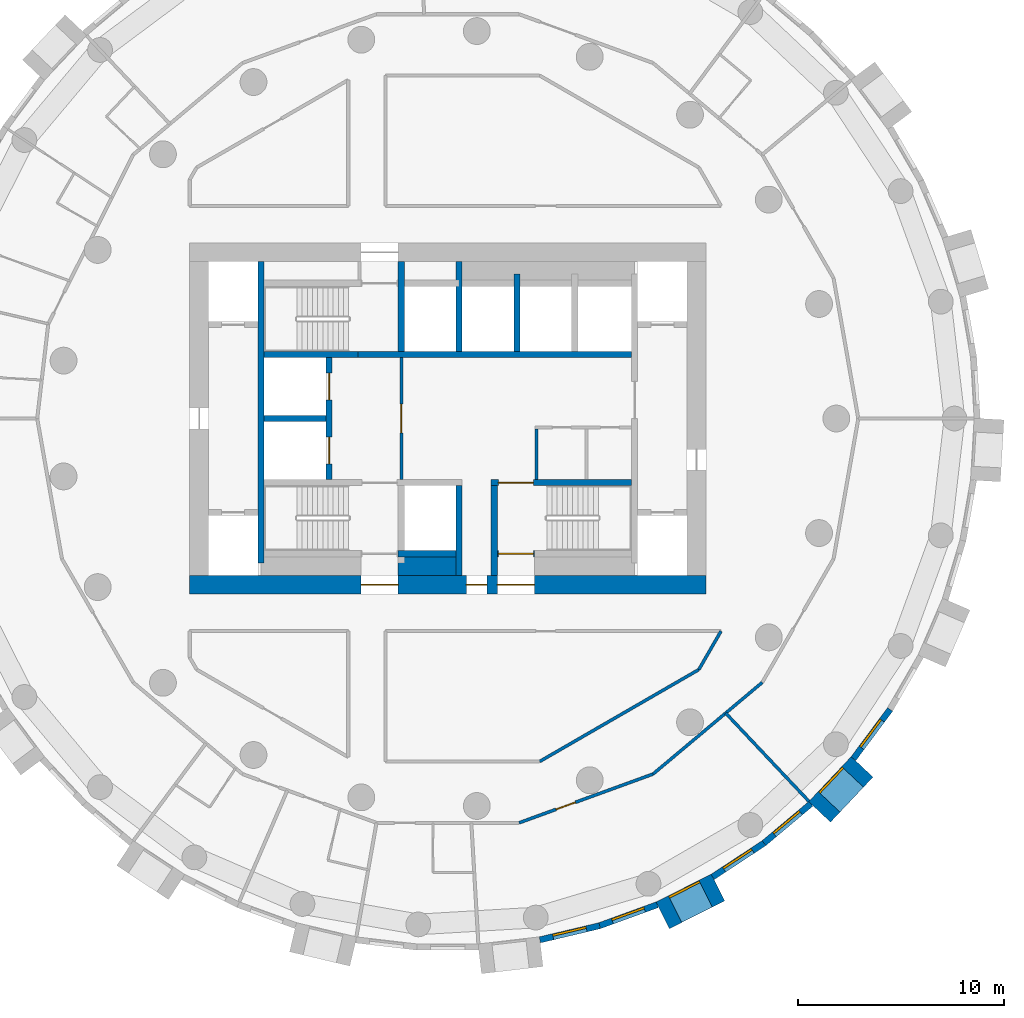
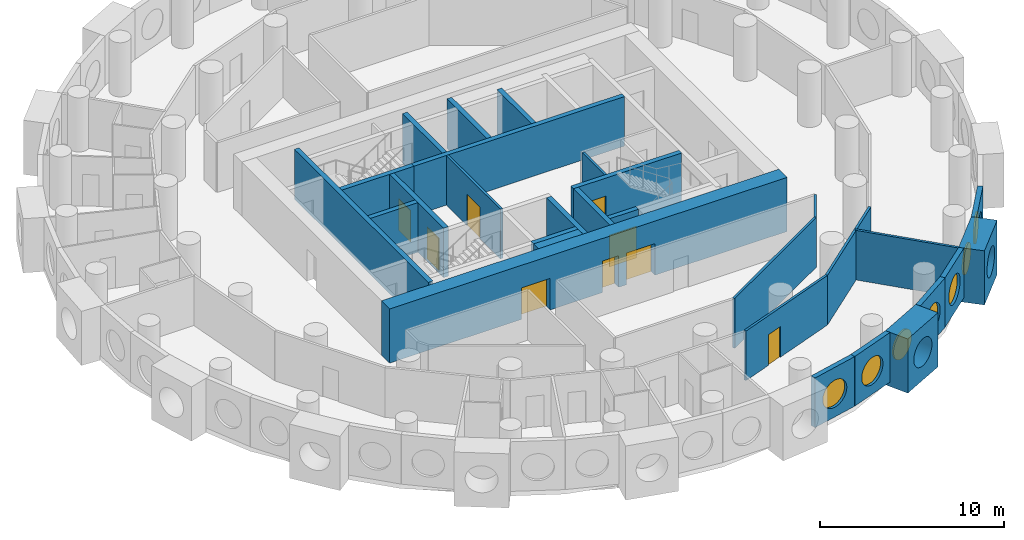
# One storey, part 4 of 9: 29 walls, 9 doors, 7 windows, 16 openings.
"""IFC4 building model written with IfcOpenShell, lengths in metres."""

import ifcopenshell
import ifcopenshell.guid

model = None  # the IFC model being written
_history = None  # IfcOwnerHistory: only IFC2X3 demands one
_inside = {}  # id of a spatial element -> (the spatial element, [elements in it])
_under = {}  # id of a project, library or spatial element -> (it, [spatial elements below it])
_declared = {}  # id of a project -> (the project, [libraries it declares])
_typed = {}  # id of a type object -> (the type object, [elements of that type])
_made_of = {}  # id of a material, layer set ... -> (it, [elements and type objects made of it])


def new_model(schema):
    """Start an empty IFC model of exactly this schema.

    Asked for "IFC4X3", IfcOpenShell would pick the latest addendum, in which some entities
    have other attributes; the version numbers below select the first issue.
    IFC2X3 requires an IfcOwnerHistory on every rooted entity: one is made here for all.
    """
    global model, _history
    if schema == "IFC4X3":
        model = ifcopenshell.file(schema_version=(4, 3, 0, 0))
    else:
        model = ifcopenshell.file(schema=schema)
    _inside.clear()
    _under.clear()
    _declared.clear()
    _typed.clear()
    _made_of.clear()
    _history = None
    if model.schema == "IFC2X3":
        org = make("IfcOrganization", Name="unknown")
        user = make(
            "IfcPersonAndOrganization",
            ThePerson=make("IfcPerson", FamilyName="unknown"),
            TheOrganization=org,
        )
        app = make(
            "IfcApplication",
            ApplicationDeveloper=org,
            Version="unknown",
            ApplicationFullName="unknown",
            ApplicationIdentifier="unknown",
        )
        _history = make(
            "IfcOwnerHistory",
            OwningUser=user,
            OwningApplication=app,
            ChangeAction="ADDED",
            CreationDate=0,
        )
    return model


def make(cls, **values):
    """One entity of the class cls with the attributes given. An attribute that is None is left unset."""
    return model.create_entity(
        cls, **{name: value for name, value in values.items() if value is not None}
    )


def rooted(cls, **values):
    """An entity with a GlobalId (a new one), such as an element, a storey or a relation."""
    return make(cls, GlobalId=ifcopenshell.guid.new(), OwnerHistory=_history, **values)


def si_unit(unit_type, name, prefix=None):
    """IfcSIUnit, for example si_unit("LENGTHUNIT", "METRE", prefix="MILLI")."""
    return make("IfcSIUnit", UnitType=unit_type, Prefix=prefix, Name=name)


def assignment(units):
    """IfcUnitAssignment: the units of a project."""
    return None if units is None else make("IfcUnitAssignment", Units=units)


def point(xyz):
    """IfcCartesianPoint."""
    return None if xyz is None else make("IfcCartesianPoint", Coordinates=xyz)


def direction(xyz):
    """IfcDirection."""
    return None if xyz is None else make("IfcDirection", DirectionRatios=xyz)


def frame(location, z_axis=None, x_axis=None):
    """IfcAxis2Placement3D, a coordinate frame: its origin and axes. An axis left out is left unset."""
    return make(
        "IfcAxis2Placement3D",
        Location=point(location),
        Axis=direction(z_axis),
        RefDirection=direction(x_axis),
    )


def frame_2d(location, x_axis=None):
    """IfcAxis2Placement2D, a coordinate frame in the plane: its origin and x axis."""
    return make(
        "IfcAxis2Placement2D", Location=point(location), RefDirection=direction(x_axis)
    )


def origin():
    """The frame at (0, 0, 0) with its axes left unset."""
    return frame((0.0, 0.0, 0.0))


def origin_2d():
    """The frame at (0, 0) in the plane with its x axis left unset."""
    return frame_2d((0.0, 0.0))


def place(relative_to, where):
    """IfcLocalPlacement: puts the frame where relative to a parent placement (None: the world)."""
    return make(
        "IfcLocalPlacement", PlacementRelTo=relative_to, RelativePlacement=where
    )


def context(
    kind, dimensions, precision=None, world=None, true_north=None, identifier=None
):
    """IfcGeometricRepresentationContext, for example the 3D "Model" context."""
    return make(
        "IfcGeometricRepresentationContext",
        ContextIdentifier=identifier,
        ContextType=kind,
        CoordinateSpaceDimension=dimensions,
        Precision=precision,
        WorldCoordinateSystem=world,
        TrueNorth=true_north,
    )


def subcontext(parent, identifier, kind, view, scale=None):
    """IfcGeometricRepresentationSubContext, for example "Body" below "Model"."""
    return make(
        "IfcGeometricRepresentationSubContext",
        ContextIdentifier=identifier,
        ContextType=kind,
        ParentContext=parent,
        TargetScale=scale,
        TargetView=view,
    )


def project(units=None, contexts=None):
    """IfcProject with its units and contexts."""
    return rooted(
        "IfcProject",
        Name="project",
        RepresentationContexts=contexts,
        UnitsInContext=assignment(units),
    )


def spatial(cls, under=None, at=None, **own):
    """A site, building, storey or space (cls), placed at a placement, below another one or the project."""
    s = rooted(cls, ObjectPlacement=at, **own)
    if under is not None:
        _under.setdefault(under.id(), (under, []))[1].append(s)
    return s


def profile(cls, at=None, kind="AREA", **sizes):
    """A parametric profile (cls). Its sizes go by their IFC names, for example OverallWidth=200.0."""
    return make(cls, ProfileType=kind, Position=at, **sizes)


def rectangle(**sizes):
    """IfcRectangleProfileDef."""
    return profile("IfcRectangleProfileDef", **sizes)


def circle(**sizes):
    """IfcCircleProfileDef."""
    return profile("IfcCircleProfileDef", **sizes)


def extrude(swept, where, along, depth):
    """IfcExtrudedAreaSolid: the profile swept, set in the frame where, extruded along a direction by depth."""
    return make(
        "IfcExtrudedAreaSolid",
        SweptArea=swept,
        Position=where,
        ExtrudedDirection=direction(along),
        Depth=depth,
    )


def shape(context_of_items, identifier, shape_type, items):
    """IfcShapeRepresentation: the items that make up one representation, for example the "Body"."""
    return make(
        "IfcShapeRepresentation",
        ContextOfItems=context_of_items,
        RepresentationIdentifier=identifier,
        RepresentationType=shape_type,
        Items=items,
    )


def material(Name=None, Category=None):
    """IfcMaterial."""
    return make("IfcMaterial", Name=Name, Category=Category)


def layer(
    of_material, thickness, ventilated=None, Name=None, Category=None, Priority=None
):
    """IfcMaterialLayer: one layer of a wall or slab, of a material (None: an air gap)."""
    return make(
        "IfcMaterialLayer",
        Material=of_material,
        LayerThickness=thickness,
        IsVentilated=ventilated,
        Name=Name,
        Category=Category,
        Priority=Priority,
    )


def layer_set(layers, Name=None):
    """IfcMaterialLayerSet."""
    return make("IfcMaterialLayerSet", MaterialLayers=layers, LayerSetName=Name)


def made_of(thing, what):
    """Note that an element or type object is made of a material, layer set ...; save() writes the relation."""
    if what is not None:
        _made_of.setdefault(what.id(), (what, []))[1].append(thing)
    return thing


def type_object(cls, material=None, **own):
    """A type object (cls), such as IfcWallType, which elements share."""
    return made_of(rooted(cls, **own), material)


def element(
    cls,
    number,
    at=None,
    inside=None,
    cuts=None,
    type_object=None,
    material=None,
    context=None,
    identifier="Body",
    shape_type=None,
    held_by="IfcProductDefinitionShape",
    body=None,
    shapes=None,
    **own,
):
    """One element of the class cls, such as IfcWall. Its Tag is "e" and its number.

    at: its placement. inside: the storey or other place that contains it. cuts: it is an
    opening in that element (IfcRelVoidsElement). A single representation is given by context,
    identifier, shape_type and body (its items); several are given by shapes. held_by: the class
    of the entity that holds the representations. save() writes the other relations.
    """
    e = rooted(cls, Tag="e%d" % number, ObjectPlacement=at, **own)
    if body is not None:
        shapes = [shape(context, identifier, shape_type, body)]
    if shapes is not None:
        e.Representation = make(held_by, Representations=shapes)
    if inside is not None:
        _inside.setdefault(inside.id(), (inside, []))[1].append(e)
    if cuts is not None:
        rooted(
            "IfcRelVoidsElement", RelatingBuildingElement=cuts, RelatedOpeningElement=e
        )
    if type_object is not None:
        _typed.setdefault(type_object.id(), (type_object, []))[1].append(e)
    return made_of(e, material)


def fill(opening, filler):
    """IfcRelFillsElement: the door or window that sits in an opening."""
    return rooted(
        "IfcRelFillsElement",
        RelatingOpeningElement=opening,
        RelatedBuildingElement=filler,
    )


def aggregate(whole, parts):
    """IfcRelAggregates: a whole, such as a stair, and the parts it consists of."""
    return rooted("IfcRelAggregates", RelatingObject=whole, RelatedObjects=parts)


def save(model, path):
    """Write the relations noted so far, then the file.

    IfcRelAggregates (storeys below a building ...), IfcRelContainedInSpatialStructure (elements
    in a storey), IfcRelDefinesByType, IfcRelAssociatesMaterial and IfcRelDeclares: one each for
    every whole, place, type object, material and project.
    """
    for whole, parts in _under.values():
        aggregate(whole, parts)
    for where, things in _inside.values():
        rooted(
            "IfcRelContainedInSpatialStructure",
            RelatedElements=things,
            RelatingStructure=where,
        )
    for kind, things in _typed.values():
        rooted("IfcRelDefinesByType", RelatedObjects=things, RelatingType=kind)
    for what, things in _made_of.values():
        rooted("IfcRelAssociatesMaterial", RelatedObjects=things, RelatingMaterial=what)
    for by, libraries in _declared.values():
        rooted("IfcRelDeclares", RelatingContext=by, RelatedDefinitions=libraries)
    model.write(path)


model = new_model("IFC4")

# Units and contexts
model_context = context("Model", 3, precision=1e-05, world=origin(), true_north=direction((0.0, 1.0)))
body_context = subcontext(model_context, "Body", "Model", "MODEL_VIEW")
ifc_project = project(units=[si_unit("LENGTHUNIT", "METRE"), si_unit("AREAUNIT", "SQUARE_METRE"), si_unit("VOLUMEUNIT", "CUBIC_METRE"), si_unit("PLANEANGLEUNIT", "RADIAN"), si_unit("MASSUNIT", "GRAM", prefix="KILO")], contexts=[model_context])

# Site, building, storey
site_placement = place(None, origin())
site = spatial("IfcSite", under=ifc_project, at=site_placement, CompositionType="ELEMENT")
building_placement = place(site_placement, origin())
building = spatial("IfcBuilding", under=site, at=building_placement, Name="Tracery Tower", CompositionType="ELEMENT")
storey_placement = place(building_placement, frame((0.0, 0.0, 187.199951171875)))
storey = spatial("IfcBuildingStorey", under=building, at=storey_placement, Name="L48", CompositionType="ELEMENT", Elevation=187.199951171875)

# Wall, opening, door
ifc_material_1 = material(Name="Plasterboard on steel studs", Category="steel")
ifc_layer_1 = layer(ifc_material_1, 0.14990234375)
ifc_layer_set_1 = layer_set([ifc_layer_1], Name="Core lobby partition 150")
wall_type_1 = type_object("IfcWallType", Name="Core lobby partition 150", PredefinedType="SOLIDWALL", material=ifc_layer_set_1)
wall_1_placement = place(storey_placement, frame((-2.25, -2.949951171875, 0.0), z_axis=(0.0, 0.0, 1.0), x_axis=(0.0, 1.0, 0.0)))
wall_1 = element("IfcWall", 1, at=wall_1_placement, inside=storey, type_object=wall_type_1, Name="L48 FF lobby E", PredefinedType="SOLIDWALL", context=body_context, shape_type="SweptSolid", body=[
    extrude(rectangle(XDim=5.89990234375, YDim=0.14990234375, at=frame_2d((2.949951171875, 0.0))), origin(), (0.0, 0.0, 1.0), 3.300048828125),
])
opening_1_placement = place(wall_1_placement, frame((2.25, 0.0, 0.0)))
opening_1 = element("IfcOpeningElement", 2, at=opening_1_placement, cuts=wall_1, Name="Opening KD8", PredefinedType="OPENING", context=body_context, shape_type="SweptSolid", body=[
    extrude(rectangle(XDim=1.39990234375, YDim=2.10009765625, at=frame_2d((0.699951171875, 1.050048828125))), frame((0.0, 0.074951171875, 0.0), z_axis=(0.0, -1.0, 0.0), x_axis=(1.0, 0.0, 0.0)), (0.0, 0.0, 1.0), 0.14990234375),
])
ifc_material_2 = material(Name="Steel fire door", Category="steel")
door_type_1 = type_object("IfcDoorType", Name="Core lobby door 1400 double", OperationType="NOTDEFINED", PredefinedType="DOOR", material=ifc_material_2)
door_1_placement = place(opening_1_placement, origin())
door_1 = element("IfcDoor", 3, at=door_1_placement, inside=storey, type_object=door_type_1, Name="Fire-fighting lobby door", OperationType="DOUBLE_DOOR_SINGLE_SWING", OverallHeight=2.10009765625, OverallWidth=1.39990234375, PredefinedType="DOOR", context=body_context, shape_type="SweptSolid", body=[
    extrude(rectangle(XDim=1.39990234375, YDim=2.10009765625, at=frame_2d((0.699951171875, 1.050048828125))), frame((0.0, 0.02490234375, 0.0), z_axis=(0.0, -1.0, 0.0), x_axis=(1.0, 0.0, 0.0)), (0.0, 0.0, 1.0), 0.050048828125),
])
fill(opening_1, door_1)

# Walls
ifc_material_3 = material(Name="Plasterboard on steel studs", Category="steel")
ifc_layer_2 = layer(ifc_material_3, 0.14990234375)
ifc_layer_set_2 = layer_set([ifc_layer_2], Name="Core room partition 150")
wall_type_2 = type_object("IfcWallType", Name="Core room partition 150", PredefinedType="SOLIDWALL", material=ifc_layer_set_2)
wall_2_placement = place(storey_placement, frame((4.300048828125, -2.949951171875, 0.0), z_axis=(0.0, 0.0, 1.0), x_axis=(0.0, 1.0, 0.0)))
element("IfcWall", 4, at=wall_2_placement, inside=storey, type_object=wall_type_2, Name="L48 slot W", PredefinedType="SOLIDWALL", context=body_context, shape_type="SweptSolid", body=[
    extrude(rectangle(XDim=2.449951171875, YDim=0.14990234375, at=frame_2d((1.22509765625, 0.0))), origin(), (0.0, 0.0, 1.0), 3.300048828125),
])
ifc_material_4 = material(Name="Concrete C50/60", Category="concrete")
ifc_layer_3 = layer(ifc_material_4, 0.89990234375)
ifc_layer_set_3 = layer_set([ifc_layer_3], Name="Core strip wall 900 C50")
wall_type_3 = type_object("IfcWallType", Name="Core strip wall 900 C50", PredefinedType="SOLIDWALL", material=ifc_layer_set_3)
wall_3_placement = place(storey_placement, frame((-2.39990234375, -7.14990234375, 0.0), z_axis=(0.0, 0.0, 1.0), x_axis=(1.0, 0.0, 0.0)))
element("IfcWall", 5, at=wall_3_placement, inside=storey, type_object=wall_type_3, Name="L48 F thick S mid", PredefinedType="SOLIDWALL", context=body_context, shape_type="SweptSolid", body=[
    extrude(rectangle(XDim=2.7998046875, YDim=0.89990234375, at=frame_2d((1.39990234375, 0.0))), origin(), (0.0, 0.0, 1.0), 3.300048828125),
])

# Wall, openings, doors
ifc_material_5 = material(Name="Concrete C50/60", Category="concrete")
ifc_layer_4 = layer(ifc_material_5, 0.89990234375)
ifc_layer_set_4 = layer_set([ifc_layer_4], Name="Core wall 900 C50")
wall_type_4 = type_object("IfcWallType", Name="Core wall 900 C50", PredefinedType="SOLIDWALL", material=ifc_layer_set_4)
wall_4_placement = place(storey_placement, frame((-12.5, -8.050048828125, 0.0), z_axis=(0.0, 0.0, 1.0), x_axis=(1.0, 0.0, 0.0)))
wall_4 = element("IfcWall", 6, at=wall_4_placement, inside=storey, type_object=wall_type_4, Name="L48 outer S", PredefinedType="SOLIDWALL", context=body_context, shape_type="SweptSolid", body=[
    extrude(rectangle(XDim=25.0, YDim=0.89990234375, at=frame_2d((12.5, 0.0))), origin(), (0.0, 0.0, 1.0), 3.60009765625),
])
opening_2_placement = place(wall_4_placement, frame((13.39990234375, 0.0, 0.0)))
opening_2 = element("IfcOpeningElement", 7, at=opening_2_placement, cuts=wall_4, Name="Opening KD16", PredefinedType="OPENING", context=body_context, shape_type="SweptSolid", body=[
    extrude(rectangle(XDim=1.0, YDim=2.10009765625, at=frame_2d((0.5, 1.050048828125))), frame((0.0, 0.449951171875, 0.0), z_axis=(0.0, -1.0, 0.0), x_axis=(1.0, 0.0, 0.0)), (0.0, 0.0, 1.0), 0.89990234375),
])
opening_3_placement = place(wall_4_placement, frame((8.300048828125, 0.0, 0.0)))
opening_3 = element("IfcOpeningElement", 8, at=opening_3_placement, cuts=wall_4, Name="Opening KD13", PredefinedType="OPENING", context=body_context, shape_type="SweptSolid", body=[
    extrude(rectangle(XDim=1.800048828125, YDim=2.10009765625, at=frame_2d((0.89990234375, 1.050048828125))), frame((0.0, 0.449951171875, 0.0), z_axis=(0.0, -1.0, 0.0), x_axis=(1.0, 0.0, 0.0)), (0.0, 0.0, 1.0), 0.89990234375),
])
opening_4_placement = place(wall_4_placement, frame((14.89990234375, 0.0, 0.0)))
opening_4 = element("IfcOpeningElement", 9, at=opening_4_placement, cuts=wall_4, Name="Opening KD13", PredefinedType="OPENING", context=body_context, shape_type="SweptSolid", body=[
    extrude(rectangle(XDim=1.800048828125, YDim=2.10009765625, at=frame_2d((0.89990234375, 1.050048828125))), frame((0.0, 0.449951171875, 0.0), z_axis=(0.0, -1.0, 0.0), x_axis=(1.0, 0.0, 0.0)), (0.0, 0.0, 1.0), 0.89990234375),
])
ifc_material_6 = material(Name="Steel fire door", Category="steel")
door_type_2 = type_object("IfcDoorType", Name="Core exit door 1000", OperationType="NOTDEFINED", PredefinedType="DOOR", material=ifc_material_6)
door_2_placement = place(opening_2_placement, origin())
door_2 = element("IfcDoor", 10, at=door_2_placement, inside=storey, type_object=door_type_2, Name="Core exit door", OperationType="SINGLE_SWING_LEFT", OverallHeight=2.10009765625, OverallWidth=1.0, PredefinedType="DOOR", context=body_context, shape_type="SweptSolid", body=[
    extrude(rectangle(XDim=1.0, YDim=2.10009765625, at=frame_2d((0.5, 1.050048828125))), frame((0.0, 0.02490234375, 0.0), z_axis=(0.0, -1.0, 0.0), x_axis=(1.0, 0.0, 0.0)), (0.0, 0.0, 1.0), 0.050048828125),
])
fill(opening_2, door_2)
ifc_material_7 = material(Name="Steel fire door", Category="steel")
door_type_3 = type_object("IfcDoorType", Name="Core exit door 1800 double", OperationType="NOTDEFINED", PredefinedType="DOOR", material=ifc_material_7)
door_3_placement = place(opening_3_placement, origin())
door_3 = element("IfcDoor", 11, at=door_3_placement, inside=storey, type_object=door_type_3, Name="Core exit door", OperationType="DOUBLE_DOOR_SINGLE_SWING", OverallHeight=2.10009765625, OverallWidth=1.800048828125, PredefinedType="DOOR", context=body_context, shape_type="SweptSolid", body=[
    extrude(rectangle(XDim=1.800048828125, YDim=2.10009765625, at=frame_2d((0.89990234375, 1.050048828125))), frame((0.0, 0.02490234375, 0.0), z_axis=(0.0, -1.0, 0.0), x_axis=(1.0, 0.0, 0.0)), (0.0, 0.0, 1.0), 0.050048828125),
])
fill(opening_3, door_3)
door_4_placement = place(opening_4_placement, origin())
door_4 = element("IfcDoor", 12, at=door_4_placement, inside=storey, type_object=door_type_3, Name="Core exit door", OperationType="DOUBLE_DOOR_SINGLE_SWING", OverallHeight=2.10009765625, OverallWidth=1.800048828125, PredefinedType="DOOR", context=body_context, shape_type="SweptSolid", body=[
    extrude(rectangle(XDim=1.800048828125, YDim=2.10009765625, at=frame_2d((0.89990234375, 1.050048828125))), frame((0.0, 0.02490234375, 0.0), z_axis=(0.0, -1.0, 0.0), x_axis=(1.0, 0.0, 0.0)), (0.0, 0.0, 1.0), 0.050048828125),
])
fill(opening_4, door_4)

# Wall, opening, window
ifc_material_8 = material(Name="Precast concrete C50/60", Category="concrete")
ifc_layer_5 = layer(ifc_material_8, 1.449951171875)
ifc_layer_set_5 = layer_set([ifc_layer_5], Name="Deep-set bay unit 3000 x 3600, slab edge 300")
wall_type_5 = type_object("IfcWallType", Name="Deep-set bay unit 3000 x 3600, slab edge 300", PredefinedType="ELEMENTEDWALL", material=ifc_layer_set_5)
wall_5_placement = place(storey_placement, frame((10.40869140625, -24.067626953125, -0.300048828125), z_axis=(0.0, 0.0, 1.0), x_axis=(0.893628249713, 0.448807922518, 0.0)))
wall_5 = element("IfcWall", 13, at=wall_5_placement, inside=storey, type_object=wall_type_5, Name="Deep-set bay unit 45 at L48", PredefinedType="ELEMENTEDWALL", context=body_context, shape_type="SweptSolid", body=[
    extrude(rectangle(XDim=3.0, YDim=1.449951171875, at=frame_2d((1.5, 0.0))), origin(), (0.0, 0.0, 1.0), 3.60009765625),
])
opening_5_placement = place(wall_5_placement, frame((1.5, 0.0, 1.85009765625)))
opening_5 = element("IfcOpeningElement", 14, at=opening_5_placement, cuts=wall_5, Name="Opening WN1", PredefinedType="OPENING", context=body_context, shape_type="SweptSolid", body=[
    extrude(circle(Radius=0.9000244140625, at=origin_2d()), frame((0.0, 0.73486328125, 0.0), z_axis=(0.0, -1.0, 0.0), x_axis=(1.0, 0.0, 0.0)), (0.0, 0.0, 1.0), 1.469970703125),
])
ifc_material_9 = material(Name="Aluminium frame with tinted double glazing", Category="aluminium")
window_type = type_object("IfcWindowType", Name="Round window 1800", PartitioningType="SINGLE_PANEL", PredefinedType="WINDOW", material=ifc_material_9)
window_1_placement = place(opening_5_placement, origin())
window_1 = element("IfcWindow", 15, at=window_1_placement, inside=storey, type_object=window_type, Name="Round window 45 at L48", OverallHeight=1.800048828125, OverallWidth=1.800048828125, PartitioningType="SINGLE_PANEL", PredefinedType="WINDOW", context=body_context, shape_type="SweptSolid", body=[
    extrude(circle(Radius=0.9000244140625, at=origin_2d()), frame((0.0, 0.69482421875, 0.0), z_axis=(0.0, -1.0, 0.0), x_axis=(1.0, 0.0, 0.0)), (0.0, 0.0, 1.0), 0.10009765625),
])
fill(opening_5, window_1)

wall_6_placement = place(storey_placement, frame((18.0126953125, -19.05615234375, -0.300048828125), z_axis=(0.0, 0.0, 1.0), x_axis=(0.686217177108, 0.727396718334, 0.0)))
wall_6 = element("IfcWall", 16, at=wall_6_placement, inside=storey, type_object=wall_type_5, Name="Deep-set bay unit 48 at L48", PredefinedType="ELEMENTEDWALL", context=body_context, shape_type="SweptSolid", body=[
    extrude(rectangle(XDim=3.0, YDim=1.449951171875, at=frame_2d((1.5, 0.0))), origin(), (0.0, 0.0, 1.0), 3.60009765625),
])
opening_6_placement = place(wall_6_placement, frame((1.5, 0.0, 1.85009765625)))
opening_6 = element("IfcOpeningElement", 17, at=opening_6_placement, cuts=wall_6, Name="Opening WN1", PredefinedType="OPENING", context=body_context, shape_type="SweptSolid", body=[
    extrude(circle(Radius=0.9000244140625, at=origin_2d()), frame((0.0, 0.73486328125, 0.0), z_axis=(0.0, -1.0, 0.0), x_axis=(1.0, 0.0, 0.0)), (0.0, 0.0, 1.0), 1.469970703125),
])
window_2_placement = place(opening_6_placement, origin())
window_2 = element("IfcWindow", 18, at=window_2_placement, inside=storey, type_object=window_type, Name="Round window 48 at L48", OverallHeight=1.800048828125, OverallWidth=1.800048828125, PartitioningType="SINGLE_PANEL", PredefinedType="WINDOW", context=body_context, shape_type="SweptSolid", body=[
    extrude(circle(Radius=0.9000244140625, at=origin_2d()), frame((0.0, 0.69482421875, 0.0), z_axis=(0.0, -1.0, 0.0), x_axis=(1.0, 0.0, 0.0)), (0.0, 0.0, 1.0), 0.10009765625),
])
fill(opening_6, window_2)

ifc_material_10 = material(Name="Precast concrete C50/60", Category="concrete")
ifc_layer_6 = layer(ifc_material_10, 0.300048828125)
ifc_layer_set_6 = layer_set([ifc_layer_6], Name="Facade panel 3000 x 3300")
wall_type_6 = type_object("IfcWallType", Name="Facade panel 3000 x 3300", PredefinedType="SOLIDWALL", material=ifc_layer_set_6)
wall_7_placement = place(storey_placement, frame((4.463134765625, -25.255615234375, 0.0), z_axis=(0.0, 0.0, 1.0), x_axis=(0.973045378923, 0.230613725862, 0.0)))
wall_7 = element("IfcWall", 19, at=wall_7_placement, inside=storey, type_object=wall_type_6, Name="Facade panel 43 at L48", PredefinedType="SOLIDWALL", context=body_context, shape_type="SweptSolid", body=[
    extrude(rectangle(XDim=2.97265625, YDim=0.300048828125, at=frame_2d((1.486328125, 0.0))), origin(), (0.0, 0.0, 1.0), 3.300048828125),
])
opening_7_placement = place(wall_7_placement, frame((1.486328125, 0.0, 1.5498046875)))
opening_7 = element("IfcOpeningElement", 20, at=opening_7_placement, cuts=wall_7, Name="Opening WN1", PredefinedType="OPENING", context=body_context, shape_type="SweptSolid", body=[
    extrude(circle(Radius=0.9000244140625, at=origin_2d()), frame((0.0, 0.159912109375, 0.0), z_axis=(0.0, -1.0, 0.0), x_axis=(1.0, 0.0, 0.0)), (0.0, 0.0, 1.0), 0.320068359375),
])
window_3_placement = place(opening_7_placement, origin())
window_3 = element("IfcWindow", 21, at=window_3_placement, inside=storey, type_object=window_type, Name="Round window 43 at L48", OverallHeight=1.800048828125, OverallWidth=1.800048828125, PartitioningType="SINGLE_PANEL", PredefinedType="WINDOW", context=body_context, shape_type="SweptSolid", body=[
    extrude(circle(Radius=0.9000244140625, at=origin_2d()), frame((0.0, 0.1201171875, 0.0), z_axis=(0.0, -1.0, 0.0), x_axis=(1.0, 0.0, 0.0)), (0.0, 0.0, 1.0), 0.10009765625),
])
fill(opening_7, window_3)

wall_8_placement = place(storey_placement, frame((7.355712890625, -24.570068359375, 0.0), z_axis=(0.0, 0.0, 1.0), x_axis=(0.939690282133, 0.342026568652, 0.0)))
wall_8 = element("IfcWall", 22, at=wall_8_placement, inside=storey, type_object=wall_type_6, Name="Facade panel 44 at L48", PredefinedType="SOLIDWALL", context=body_context, shape_type="SweptSolid", body=[
    extrude(rectangle(XDim=2.972900390625, YDim=0.300048828125, at=frame_2d((1.486328125, 0.0))), origin(), (0.0, 0.0, 1.0), 3.300048828125),
])
opening_8_placement = place(wall_8_placement, frame((1.486328125, 0.0, 1.5498046875)))
opening_8 = element("IfcOpeningElement", 23, at=opening_8_placement, cuts=wall_8, Name="Opening WN1", PredefinedType="OPENING", context=body_context, shape_type="SweptSolid", body=[
    extrude(circle(Radius=0.9000244140625, at=origin_2d()), frame((0.0, 0.159912109375, 0.0), z_axis=(0.0, -1.0, 0.0), x_axis=(1.0, 0.0, 0.0)), (0.0, 0.0, 1.0), 0.320068359375),
])
window_4_placement = place(opening_8_placement, origin())
window_4 = element("IfcWindow", 24, at=window_4_placement, inside=storey, type_object=window_type, Name="Round window 44 at L48", OverallHeight=1.800048828125, OverallWidth=1.800048828125, PartitioningType="SINGLE_PANEL", PredefinedType="WINDOW", context=body_context, shape_type="SweptSolid", body=[
    extrude(circle(Radius=0.9000244140625, at=origin_2d()), frame((0.0, 0.1201171875, 0.0), z_axis=(0.0, -1.0, 0.0), x_axis=(1.0, 0.0, 0.0)), (0.0, 0.0, 1.0), 0.10009765625),
])
fill(opening_8, window_4)

wall_9_placement = place(storey_placement, frame((12.831787109375, -22.2060546875, 0.0), z_axis=(0.0, 0.0, 1.0), x_axis=(0.835508361394, 0.54947773207, 0.0)))
wall_9 = element("IfcWall", 25, at=wall_9_placement, inside=storey, type_object=wall_type_6, Name="Facade panel 46 at L48", PredefinedType="SOLIDWALL", context=body_context, shape_type="SweptSolid", body=[
    extrude(rectangle(XDim=2.972900390625, YDim=0.300048828125, at=frame_2d((1.486328125, 0.0))), origin(), (0.0, 0.0, 1.0), 3.300048828125),
])
opening_9_placement = place(wall_9_placement, frame((1.486328125, 0.0, 1.5498046875)))
opening_9 = element("IfcOpeningElement", 26, at=opening_9_placement, cuts=wall_9, Name="Opening WN1", PredefinedType="OPENING", context=body_context, shape_type="SweptSolid", body=[
    extrude(circle(Radius=0.9000244140625, at=origin_2d()), frame((0.0, 0.159912109375, 0.0), z_axis=(0.0, -1.0, 0.0), x_axis=(1.0, 0.0, 0.0)), (0.0, 0.0, 1.0), 0.320068359375),
])
window_5_placement = place(opening_9_placement, origin())
window_5 = element("IfcWindow", 27, at=window_5_placement, inside=storey, type_object=window_type, Name="Round window 46 at L48", OverallHeight=1.800048828125, OverallWidth=1.800048828125, PartitioningType="SINGLE_PANEL", PredefinedType="WINDOW", context=body_context, shape_type="SweptSolid", body=[
    extrude(circle(Radius=0.9000244140625, at=origin_2d()), frame((0.0, 0.1201171875, 0.0), z_axis=(0.0, -1.0, 0.0), x_axis=(1.0, 0.0, 0.0)), (0.0, 0.0, 1.0), 0.10009765625),
])
fill(opening_9, window_5)

wall_10_placement = place(storey_placement, frame((15.315673828125, -20.572509765625, 0.0), z_axis=(0.0, 0.0, 1.0), x_axis=(0.766008913364, 0.642829950023, 0.0)))
wall_10 = element("IfcWall", 28, at=wall_10_placement, inside=storey, type_object=wall_type_6, Name="Facade panel 47 at L48", PredefinedType="SOLIDWALL", context=body_context, shape_type="SweptSolid", body=[
    extrude(rectangle(XDim=2.972900390625, YDim=0.300048828125, at=frame_2d((1.486328125, 0.0))), origin(), (0.0, 0.0, 1.0), 3.300048828125),
])
opening_10_placement = place(wall_10_placement, frame((1.486328125, 0.0, 1.5498046875)))
opening_10 = element("IfcOpeningElement", 29, at=opening_10_placement, cuts=wall_10, Name="Opening WN1", PredefinedType="OPENING", context=body_context, shape_type="SweptSolid", body=[
    extrude(circle(Radius=0.9000244140625, at=origin_2d()), frame((0.0, 0.159912109375, 0.0), z_axis=(0.0, -1.0, 0.0), x_axis=(1.0, 0.0, 0.0)), (0.0, 0.0, 1.0), 0.320068359375),
])
window_6_placement = place(opening_10_placement, origin())
window_6 = element("IfcWindow", 30, at=window_6_placement, inside=storey, type_object=window_type, Name="Round window 47 at L48", OverallHeight=1.800048828125, OverallWidth=1.800048828125, PartitioningType="SINGLE_PANEL", PredefinedType="WINDOW", context=body_context, shape_type="SweptSolid", body=[
    extrude(circle(Radius=0.9000244140625, at=origin_2d()), frame((0.0, 0.1201171875, 0.0), z_axis=(0.0, -1.0, 0.0), x_axis=(1.0, 0.0, 0.0)), (0.0, 0.0, 1.0), 0.10009765625),
])
fill(opening_10, window_6)

wall_11_placement = place(storey_placement, frame((19.65283203125, -16.47802734375, 0.0), z_axis=(0.0, 0.0, 1.0), x_axis=(0.597197580538, 0.80209416517, 0.0)))
wall_11 = element("IfcWall", 31, at=wall_11_placement, inside=storey, type_object=wall_type_6, Name="Facade panel 49 at L48", PredefinedType="SOLIDWALL", context=body_context, shape_type="SweptSolid", body=[
    extrude(rectangle(XDim=2.972900390625, YDim=0.300048828125, at=frame_2d((1.486328125, 0.0))), origin(), (0.0, 0.0, 1.0), 3.300048828125),
])
opening_11_placement = place(wall_11_placement, frame((1.486328125, 0.0, 1.5498046875)))
opening_11 = element("IfcOpeningElement", 32, at=opening_11_placement, cuts=wall_11, Name="Opening WN1", PredefinedType="OPENING", context=body_context, shape_type="SweptSolid", body=[
    extrude(circle(Radius=0.9000244140625, at=origin_2d()), frame((0.0, 0.159912109375, 0.0), z_axis=(0.0, -1.0, 0.0), x_axis=(1.0, 0.0, 0.0)), (0.0, 0.0, 1.0), 0.320068359375),
])
window_7_placement = place(opening_11_placement, origin())
window_7 = element("IfcWindow", 33, at=window_7_placement, inside=storey, type_object=window_type, Name="Round window 49 at L48", OverallHeight=1.800048828125, OverallWidth=1.800048828125, PartitioningType="SINGLE_PANEL", PredefinedType="WINDOW", context=body_context, shape_type="SweptSolid", body=[
    extrude(circle(Radius=0.9000244140625, at=origin_2d()), frame((0.0, 0.1201171875, 0.0), z_axis=(0.0, -1.0, 0.0), x_axis=(1.0, 0.0, 0.0)), (0.0, 0.0, 1.0), 0.10009765625),
])
fill(opening_11, window_7)

# Walls
ifc_material_11 = material(Name="Plasterboard on steel studs", Category="steel")
ifc_layer_7 = layer(ifc_material_11, 0.14990234375)
ifc_layer_set_7 = layer_set([ifc_layer_7], Name="Partition 150 acoustic unit wall")
wall_type_7 = type_object("IfcWallType", Name="Partition 150 acoustic unit wall", PredefinedType="PARTITIONING", material=ifc_layer_set_7)
wall_12_placement = place(storey_placement, frame((13.462890625, -14.27001953125, 0.0), z_axis=(0.0, 0.0, 1.0), x_axis=(0.6862502776, -0.72736549031, 0.0)))
element("IfcWall", 34, at=wall_12_placement, inside=storey, type_object=wall_type_7, Name="Unit wall RB6-067", PredefinedType="PARTITIONING", context=body_context, shape_type="SweptSolid", body=[
    extrude(rectangle(XDim=5.878662109375, YDim=0.14990234375, at=frame_2d((2.939453125, 0.0))), origin(), (0.0, 0.0, 1.0), 3.300048828125),
])
ifc_material_12 = material(Name="Plasterboard on steel studs", Category="steel")
ifc_layer_8 = layer(ifc_material_12, 0.14990234375)
ifc_layer_set_8 = layer_set([ifc_layer_8], Name="Partition 150 corridor wall")
wall_type_8 = type_object("IfcWallType", Name="Partition 150 corridor wall", PredefinedType="PARTITIONING", material=ifc_layer_set_8)
wall_13_placement = place(storey_placement, frame((12.162109375, -12.162109375, 0.0), z_axis=(0.0, 0.0, 1.0), x_axis=(0.499961633463, 0.866047553582, 0.0)))
element("IfcWall", 35, at=wall_13_placement, inside=storey, type_object=wall_type_8, Name="Corridor wall RB6-006", PredefinedType="PARTITIONING", context=body_context, shape_type="SweptSolid", body=[
    extrude(rectangle(XDim=2.150146484375, YDim=0.14990234375, at=frame_2d((1.0751953125, 0.0))), origin(), (0.0, 0.0, 1.0), 3.300048828125),
])
wall_14_placement = place(storey_placement, frame((9.943359375, -17.22216796875, 0.0), z_axis=(0.0, 0.0, 1.0), x_axis=(0.766192104565, 0.642611592567, 0.0)))
element("IfcWall", 36, at=wall_14_placement, inside=storey, type_object=wall_type_8, Name="Corridor wall RB6-012", PredefinedType="PARTITIONING", context=body_context, shape_type="SweptSolid", body=[
    extrude(rectangle(XDim=6.906494140625, YDim=0.14990234375, at=frame_2d((3.453125, 0.0))), origin(), (0.0, 0.0, 1.0), 3.300048828125),
])
wall_15_placement = place(storey_placement, frame((4.451904296875, -16.614013671875, 0.0), z_axis=(0.0, 0.0, 1.0), x_axis=(0.866005203721, 0.500034985904, 0.0)))
element("IfcWall", 37, at=wall_15_placement, inside=storey, type_object=wall_type_8, Name="Corridor wall RB6-035", PredefinedType="PARTITIONING", context=body_context, shape_type="SweptSolid", body=[
    extrude(rectangle(XDim=8.903076171875, YDim=0.14990234375, at=frame_2d((4.45166015625, 0.0))), origin(), (0.0, 0.0, 1.0), 3.300048828125),
])

# Wall, opening, door
wall_16_placement = place(storey_placement, frame((3.452880859375, -19.5859375, 0.0), z_axis=(0.0, 0.0, 1.0), x_axis=(0.939672634566, 0.342075050021, 0.0)))
wall_16 = element("IfcWall", 38, at=wall_16_placement, inside=storey, type_object=wall_type_8, Name="Corridor wall RB6-038", PredefinedType="PARTITIONING", context=body_context, shape_type="SweptSolid", body=[
    extrude(rectangle(XDim=6.907958984375, YDim=0.14990234375, at=frame_2d((3.4541015625, 0.0))), origin(), (0.0, 0.0, 1.0), 3.300048828125),
])
opening_12_placement = place(wall_16_placement, frame((1.90380859375, 0.0, 0.0)))
opening_12 = element("IfcOpeningElement", 39, at=opening_12_placement, cuts=wall_16, Name="Opening RB6-24", PredefinedType="OPENING", context=body_context, shape_type="SweptSolid", body=[
    extrude(rectangle(XDim=1.0, YDim=2.0400390625, at=frame_2d((0.5, 1.02001953125))), frame((0.0, 0.074951171875, 0.0), z_axis=(0.0, -1.0, 0.0), x_axis=(1.0, 0.0, 0.0)), (0.0, 0.0, 1.0), 0.14990234375),
])
ifc_material_13 = material(Name="Timber door leaf", Category="wood")
door_type_4 = type_object("IfcDoorType", Name="Door communal room 1000", OperationType="NOTDEFINED", PredefinedType="DOOR", material=ifc_material_13)
door_5_placement = place(opening_12_placement, origin())
door_5 = element("IfcDoor", 40, at=door_5_placement, inside=storey, type_object=door_type_4, Name="Communal room door RB6-24", OperationType="SINGLE_SWING_RIGHT", OverallHeight=2.0400390625, OverallWidth=1.0, PredefinedType="DOOR", context=body_context, shape_type="SweptSolid", body=[
    extrude(rectangle(XDim=1.0, YDim=2.0400390625, at=frame_2d((0.5, 1.02001953125))), frame((0.0, 0.02490234375, 0.0), z_axis=(0.0, -1.0, 0.0), x_axis=(1.0, 0.0, 0.0)), (0.0, 0.0, 1.0), 0.050048828125),
])
fill(opening_12, door_5)

# Wall
ifc_material_14 = material(Name="Concrete C50/60", Category="concrete")
ifc_layer_9 = layer(ifc_material_14, 0.300048828125)
ifc_layer_set_9 = layer_set([ifc_layer_9], Name="Shaft wall 300 C50")
wall_type_9 = type_object("IfcWallType", Name="Shaft wall 300 C50", PredefinedType="SOLIDWALL", material=ifc_layer_set_9)
wall_17_placement = place(storey_placement, frame((-8.89990234375, 0.0, 0.0), z_axis=(0.0, 0.0, 1.0), x_axis=(1.0, 0.0, 0.0)))
element("IfcWall", 41, at=wall_17_placement, inside=storey, type_object=wall_type_9, Name="L48 FF split", PredefinedType="SOLIDWALL", context=body_context, shape_type="SweptSolid", body=[
    extrude(rectangle(XDim=3.0, YDim=0.300048828125, at=frame_2d((1.5, 0.0))), origin(), (0.0, 0.0, 1.0), 3.300048828125),
])

# Wall, openings, doors
wall_18_placement = place(storey_placement, frame((-5.75, -2.949951171875, 0.0), z_axis=(0.0, 0.0, 1.0), x_axis=(0.0, 1.0, 0.0)))
wall_18 = element("IfcWall", 42, at=wall_18_placement, inside=storey, type_object=wall_type_9, Name="L48 FF doors", PredefinedType="SOLIDWALL", context=body_context, shape_type="SweptSolid", body=[
    extrude(rectangle(XDim=5.89990234375, YDim=0.300048828125, at=frame_2d((2.949951171875, 0.0))), origin(), (0.0, 0.0, 1.0), 3.300048828125),
])
opening_13_placement = place(wall_18_placement, frame((0.75, 0.0, 0.0)))
opening_13 = element("IfcOpeningElement", 43, at=opening_13_placement, cuts=wall_18, Name="Opening KD54", PredefinedType="OPENING", context=body_context, shape_type="SweptSolid", body=[
    extrude(rectangle(XDim=1.300048828125, YDim=2.10009765625, at=frame_2d((0.64990234375, 1.050048828125))), frame((0.0, 0.14990234375, 0.0), z_axis=(0.0, -1.0, 0.0), x_axis=(1.0, 0.0, 0.0)), (0.0, 0.0, 1.0), 0.300048828125),
])
opening_14_placement = place(wall_18_placement, frame((3.85009765625, 0.0, 0.0)))
opening_14 = element("IfcOpeningElement", 44, at=opening_14_placement, cuts=wall_18, Name="Opening KD55", PredefinedType="OPENING", context=body_context, shape_type="SweptSolid", body=[
    extrude(rectangle(XDim=1.300048828125, YDim=2.10009765625, at=frame_2d((0.64990234375, 1.050048828125))), frame((0.0, 0.14990234375, 0.0), z_axis=(0.0, -1.0, 0.0), x_axis=(1.0, 0.0, 0.0)), (0.0, 0.0, 1.0), 0.300048828125),
])
ifc_material_15 = material(Name="Steel fire door", Category="steel")
door_type_5 = type_object("IfcDoorType", Name="Landing door FF 1300", OperationType="NOTDEFINED", PredefinedType="DOOR", material=ifc_material_15)
door_6_placement = place(opening_13_placement, origin())
door_6 = element("IfcDoor", 45, at=door_6_placement, inside=storey, type_object=door_type_5, Name="Landing door FF1", OperationType="SLIDING_TO_LEFT", OverallHeight=2.10009765625, OverallWidth=1.300048828125, PredefinedType="DOOR", context=body_context, shape_type="SweptSolid", body=[
    extrude(rectangle(XDim=1.300048828125, YDim=2.10009765625, at=frame_2d((0.64990234375, 1.050048828125))), frame((0.0, 0.02490234375, 0.0), z_axis=(0.0, -1.0, 0.0), x_axis=(1.0, 0.0, 0.0)), (0.0, 0.0, 1.0), 0.050048828125),
])
fill(opening_13, door_6)
door_7_placement = place(opening_14_placement, origin())
door_7 = element("IfcDoor", 46, at=door_7_placement, inside=storey, type_object=door_type_5, Name="Landing door FF2", OperationType="SLIDING_TO_RIGHT", OverallHeight=2.10009765625, OverallWidth=1.300048828125, PredefinedType="DOOR", context=body_context, shape_type="SweptSolid", body=[
    extrude(rectangle(XDim=1.300048828125, YDim=2.10009765625, at=frame_2d((0.64990234375, 1.050048828125))), frame((0.0, 0.02490234375, 0.0), z_axis=(0.0, -1.0, 0.0), x_axis=(1.0, 0.0, 0.0)), (0.0, 0.0, 1.0), 0.050048828125),
])
fill(opening_14, door_7)

# Walls
for number, where, z_axis, x_axis, name in (
    (47, (0.550048828125, -7.60009765625, 0.0), (0.0, 0.0, 1.0), (0.0, 1.0, 0.0), "L48 OB2 E"),
    (48, (0.550048828125, 3.25, 0.0), (0.0, 0.0, 1.0), (0.0, 1.0, 0.0), "L48 HR sep 1"),
):
    element("IfcWall", number, at=place(storey_placement, frame(where, z_axis=z_axis, x_axis=x_axis)), inside=storey, type_object=wall_type_9, Name=name, PredefinedType="SOLIDWALL", context=body_context, shape_type="SweptSolid", body=[
        extrude(rectangle(XDim=4.35009765625, YDim=0.300048828125, at=frame_2d((2.175048828125, 0.0))), origin(), (0.0, 0.0, 1.0), 3.300048828125),
    ])
wall_19_placement = place(storey_placement, frame((3.35009765625, 3.25, 0.0), z_axis=(0.0, 0.0, 1.0), x_axis=(0.0, 1.0, 0.0)))
element("IfcWall", 49, at=wall_19_placement, inside=storey, type_object=wall_type_9, Name="L48 HR sep 2", PredefinedType="SOLIDWALL", context=body_context, shape_type="SweptSolid", body=[
    extrude(rectangle(XDim=3.75, YDim=0.300048828125, at=frame_2d((1.875, 0.0))), origin(), (0.0, 0.0, 1.0), 3.300048828125),
])

# Wall, opening, door
ifc_material_16 = material(Name="Concrete C50/60", Category="concrete")
ifc_layer_10 = layer(ifc_material_16, 0.300048828125)
ifc_layer_set_10 = layer_set([ifc_layer_10], Name="Stair wall 300 C50")
wall_type_10 = type_object("IfcWallType", Name="Stair wall 300 C50", PredefinedType="SOLIDWALL", material=ifc_layer_set_10)
wall_20_placement = place(storey_placement, frame((2.10009765625, -3.10009765625, 0.0), z_axis=(0.0, 0.0, 1.0), x_axis=(1.0, 0.0, 0.0)))
wall_20 = element("IfcWall", 50, at=wall_20_placement, inside=storey, type_object=wall_type_10, Name="L48 row S E", PredefinedType="SOLIDWALL", context=body_context, shape_type="SweptSolid", body=[
    extrude(rectangle(XDim=6.7998046875, YDim=0.300048828125, at=frame_2d((3.39990234375, 0.0))), origin(), (0.0, 0.0, 1.0), 3.300048828125),
])
opening_15_placement = place(wall_20_placement, frame((0.35009765625, 0.0, 0.0)))
opening_15 = element("IfcOpeningElement", 51, at=opening_15_placement, cuts=wall_20, Name="Opening KD3", PredefinedType="OPENING", context=body_context, shape_type="SweptSolid", body=[
    extrude(rectangle(XDim=1.699951171875, YDim=2.10009765625, at=frame_2d((0.85009765625, 1.050048828125))), frame((0.0, 0.14990234375, 0.0), z_axis=(0.0, -1.0, 0.0), x_axis=(1.0, 0.0, 0.0)), (0.0, 0.0, 1.0), 0.300048828125),
])
ifc_material_17 = material(Name="Steel fire door", Category="steel")
door_type_6 = type_object("IfcDoorType", Name="Core stair door 1700 double", OperationType="NOTDEFINED", PredefinedType="DOOR", material=ifc_material_17)
door_8_placement = place(opening_15_placement, origin())
door_8 = element("IfcDoor", 52, at=door_8_placement, inside=storey, type_object=door_type_6, Name="Stair door ST2", OperationType="DOUBLE_DOOR_SINGLE_SWING", OverallHeight=2.10009765625, OverallWidth=1.699951171875, PredefinedType="DOOR", context=body_context, shape_type="SweptSolid", body=[
    extrude(rectangle(XDim=1.699951171875, YDim=2.10009765625, at=frame_2d((0.85009765625, 1.050048828125))), frame((0.0, 0.02490234375, 0.0), z_axis=(0.0, -1.0, 0.0), x_axis=(1.0, 0.0, 0.0)), (0.0, 0.0, 1.0), 0.050048828125),
])
fill(opening_15, door_8)

# Walls
wall_21_placement = place(storey_placement, frame((-8.89990234375, 3.10009765625, 0.0), z_axis=(0.0, 0.0, 1.0), x_axis=(1.0, 0.0, 0.0)))
element("IfcWall", 53, at=wall_21_placement, inside=storey, type_object=wall_type_10, Name="L48 row N W", PredefinedType="SOLIDWALL", context=body_context, shape_type="SweptSolid", body=[
    extrude(rectangle(XDim=4.5498046875, YDim=0.300048828125, at=frame_2d((2.27490234375, 0.0))), origin(), (0.0, 0.0, 1.0), 3.300048828125),
])
wall_22_placement = place(storey_placement, frame((-4.35009765625, 3.10009765625, 0.0), z_axis=(0.0, 0.0, 1.0), x_axis=(1.0, 0.0, 0.0)))
element("IfcWall", 54, at=wall_22_placement, inside=storey, type_object=wall_type_10, Name="L48 row N", PredefinedType="SOLIDWALL", context=body_context, shape_type="SweptSolid", body=[
    extrude(rectangle(XDim=13.25, YDim=0.300048828125, at=frame_2d((6.625, 0.0))), origin(), (0.0, 0.0, 1.0), 3.300048828125),
])
for number, where, z_axis, x_axis, name in (
    (55, (-2.25, 3.25, 0.0), (0.0, 0.0, 1.0), (0.0, 1.0, 0.0), "L48 ST3 E"),
    (56, (2.25, -7.60009765625, 0.0), (0.0, 0.0, 1.0), (0.0, 1.0, 0.0), "L48 ST2 W"),
):
    element("IfcWall", number, at=place(storey_placement, frame(where, z_axis=z_axis, x_axis=x_axis)), inside=storey, type_object=wall_type_10, Name=name, PredefinedType="SOLIDWALL", context=body_context, shape_type="SweptSolid", body=[
        extrude(rectangle(XDim=4.35009765625, YDim=0.300048828125, at=frame_2d((2.175048828125, 0.0))), origin(), (0.0, 0.0, 1.0), 3.300048828125),
    ])
wall_23_placement = place(storey_placement, frame((-9.050048828125, -7.0, 0.0), z_axis=(0.0, 0.0, 1.0), x_axis=(0.0, 1.0, 0.0)))
element("IfcWall", 57, at=wall_23_placement, inside=storey, type_object=wall_type_10, Name="L48 F wall -9", PredefinedType="SOLIDWALL", context=body_context, shape_type="SweptSolid", body=[
    extrude(rectangle(XDim=14.60009765625, YDim=0.300048828125, at=frame_2d((7.300048828125, 0.0))), origin(), (0.0, 0.0, 1.0), 3.300048828125),
])
wall_24_placement = place(storey_placement, frame((-2.39990234375, -6.550048828125, 0.0), z_axis=(0.0, 0.0, 1.0), x_axis=(1.0, 0.0, 0.0)))
element("IfcWall", 58, at=wall_24_placement, inside=storey, type_object=wall_type_10, Name="L48 F stair strip S mid", PredefinedType="SOLIDWALL", context=body_context, shape_type="SweptSolid", body=[
    extrude(rectangle(XDim=2.7998046875, YDim=0.300048828125, at=frame_2d((1.39990234375, 0.0))), origin(), (0.0, 0.0, 1.0), 3.300048828125),
])

# Wall, opening, door
wall_25_placement = place(storey_placement, frame((2.39990234375, -6.550048828125, 0.0), z_axis=(0.0, 0.0, 1.0), x_axis=(1.0, 0.0, 0.0)))
wall_25 = element("IfcWall", 59, at=wall_25_placement, inside=storey, type_object=wall_type_10, Name="L48 F stair S E", PredefinedType="SOLIDWALL", context=body_context, shape_type="SweptSolid", body=[
    extrude(rectangle(XDim=1.800048828125, YDim=0.300048828125, at=frame_2d((0.89990234375, 0.0))), origin(), (0.0, 0.0, 1.0), 3.300048828125),
])
opening_16_placement = place(wall_25_placement, frame((0.050048828125, 0.0, 0.0)))
opening_16 = element("IfcOpeningElement", 60, at=opening_16_placement, cuts=wall_25, Name="Opening KD3", PredefinedType="OPENING", context=body_context, shape_type="SweptSolid", body=[
    extrude(rectangle(XDim=1.699951171875, YDim=2.10009765625, at=frame_2d((0.85009765625, 1.050048828125))), frame((0.0, 0.14990234375, 0.0), z_axis=(0.0, -1.0, 0.0), x_axis=(1.0, 0.0, 0.0)), (0.0, 0.0, 1.0), 0.300048828125),
])
door_9_placement = place(opening_16_placement, origin())
door_9 = element("IfcDoor", 61, at=door_9_placement, inside=storey, type_object=door_type_6, Name="Stair door vest", OperationType="DOUBLE_DOOR_SINGLE_SWING", OverallHeight=2.10009765625, OverallWidth=1.699951171875, PredefinedType="DOOR", context=body_context, shape_type="SweptSolid", body=[
    extrude(rectangle(XDim=1.699951171875, YDim=2.10009765625, at=frame_2d((0.85009765625, 1.050048828125))), frame((0.0, 0.02490234375, 0.0), z_axis=(0.0, -1.0, 0.0), x_axis=(1.0, 0.0, 0.0)), (0.0, 0.0, 1.0), 0.050048828125),
])
fill(opening_16, door_9)

save(model, "model.ifc")
